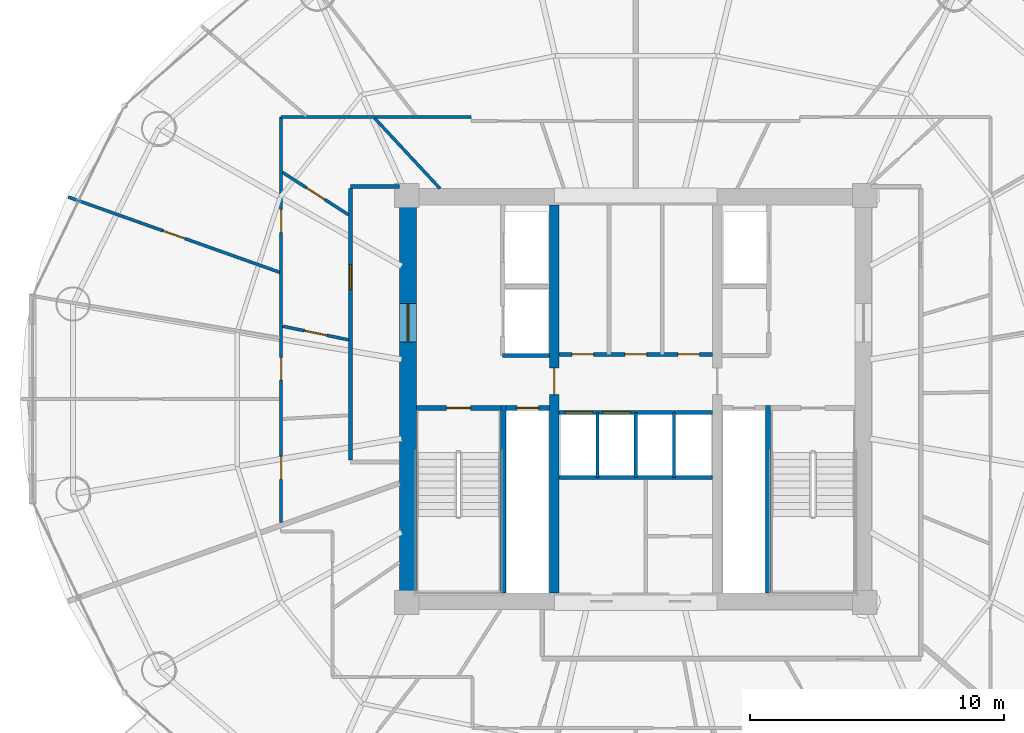
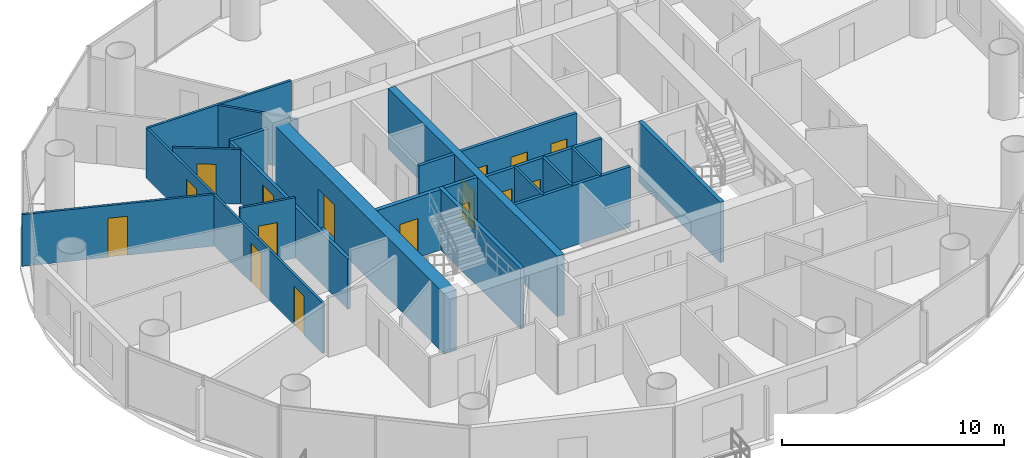
# One storey, part 22 of 27: 21 walls, 16 doors, 16 openings.
"""IFC4 building model written with IfcOpenShell, lengths in metres."""

from ifc_helpers import new_model, si_unit, direction, frame, frame_2d, origin, place, context, subcontext, project, spatial, rectangle, extrude, source, transform, mapped, material, layer, layer_set, type_object, element, fill, save


model = new_model("IFC4")

# Units and contexts
model_context = context("Model", 3, precision=1e-05, world=origin(), true_north=direction((-0.2419218956, 0.970295726276)))
body_context = subcontext(model_context, "Body", "Model", "MODEL_VIEW")
ifc_project = project(units=[si_unit("LENGTHUNIT", "METRE"), si_unit("AREAUNIT", "SQUARE_METRE"), si_unit("VOLUMEUNIT", "CUBIC_METRE"), si_unit("PLANEANGLEUNIT", "RADIAN"), si_unit("MASSUNIT", "GRAM", prefix="KILO")], contexts=[model_context])

# Site, building, storey
site_placement = place(None, origin())
site = spatial("IfcSite", under=ifc_project, at=site_placement, CompositionType="ELEMENT")
building_placement = place(site_placement, origin())
building = spatial("IfcBuilding", under=site, at=building_placement, Name="Cobrevalo Terracotta Tower", CompositionType="ELEMENT")
storey_placement = place(building_placement, frame((0.0, 0.0, 149.800048828125)))
storey = spatial("IfcBuildingStorey", under=building, at=storey_placement, Name="L39", CompositionType="ELEMENT", Elevation=149.800048828125)

# Wall, opening, door
ifc_material_1 = material(Name="Concrete C55", Category="concrete")
ifc_layer_1 = layer(ifc_material_1, 0.64990234375)
ifc_layer_set_1 = layer_set([ifc_layer_1], Name="Concrete C55")
wall_type_1 = type_object("IfcWallType", Name="Core shear wall 650 mm Concrete C55", PredefinedType="SHEAR", material=ifc_layer_set_1)
wall_1_placement = place(storey_placement, frame((29.050048828125, 19.175048828125, 0.0), z_axis=(0.0, 0.0, 1.0), x_axis=(0.0, 1.0, 0.0)))
wall_1 = element("IfcWall", 1, at=wall_1_placement, inside=storey, type_object=wall_type_1, Name="L39 west core shear wall", PredefinedType="SHEAR", context=body_context, shape_type="SweptSolid", body=[
    extrude(rectangle(XDim=15.25, YDim=0.64990234375, at=frame_2d((7.625, 0.0))), origin(), (0.0, 0.0, 1.0), 3.329833984375),
])
opening_1_placement = place(wall_1_placement, frame((9.875, 0.0, 0.0)))
opening_1 = element("IfcOpeningElement", 2, at=opening_1_placement, cuts=wall_1, Name="Opening ID-14", PredefinedType="OPENING", context=body_context, shape_type="SweptSolid", body=[
    extrude(rectangle(XDim=1.5, YDim=2.199951171875, at=frame_2d((0.75, 1.10009765625))), frame((0.0, 0.3349609375, 0.0), z_axis=(0.0, -1.0, 0.0), x_axis=(1.0, 0.0, 0.0)), (0.0, 0.0, 1.0), 0.669921875),
])
ifc_material_2 = material(Name="Galvanized fire-rated steel", Category="steel")
door_type_1 = type_object("IfcDoorType", Name="Core cross-lobby double fire door 1500x2200 EI 90", OperationType="NOTDEFINED", PredefinedType="DOOR", material=ifc_material_2)
shared_shape_1 = source(origin(), body_context, "Body", "SweptSolid", [
    extrude(rectangle(XDim=1.5, YDim=2.199951171875, at=frame_2d((0.75, 1.10009765625))), frame((0.0, 0.02490234375, 0.0), z_axis=(0.0, -1.0, 0.0), x_axis=(1.0, 0.0, 0.0)), (0.0, 0.0, 1.0), 0.050048828125),
])
door_1_placement = place(opening_1_placement, origin())
door_1 = element("IfcDoor", 3, at=door_1_placement, inside=storey, type_object=door_type_1, Name="L39 west firefighting lobby entrance door", OperationType="DOUBLE_DOOR_SINGLE_SWING", OverallHeight=2.199951171875, OverallWidth=1.5, PredefinedType="DOOR", context=body_context, shape_type="MappedRepresentation", body=[
    mapped(shared_shape_1, transform((0.0, 0.0, 0.0), scale=1.0)),
])
fill(opening_1, door_1)

# Wall
ifc_material_3 = material(Name="Gypsum board on steel stud", Category="steel")
ifc_layer_2 = layer(ifc_material_3, 0.159912109375)
ifc_layer_set_2 = layer_set([ifc_layer_2], Name="Gypsum board on steel stud")
wall_type_2 = type_object("IfcWallType", Name="Fire-rated corridor acoustic partition wall 160 mm", PredefinedType="PARTITIONING", material=ifc_layer_set_2)
wall_2_placement = place(storey_placement, frame((32.77001953125, 28.52001953125, 0.0), z_axis=(0.0, 0.0, 1.0), x_axis=(1.0, 0.0, 0.0)))
element("IfcWall", 4, at=wall_2_placement, inside=storey, type_object=wall_type_2, Name="L39 interior partition IW-L39-FF1-S", PredefinedType="PARTITIONING", context=body_context, shape_type="SweptSolid", body=[
    extrude(rectangle(XDim=1.840087890625, YDim=0.159912109375, at=frame_2d((0.919921875, 0.0))), origin(), (0.0, 0.0, 1.0), 3.329833984375),
])

# Wall, openings, doors
wall_3_placement = place(storey_placement, frame((34.989990234375, 28.56005859375, 0.0), z_axis=(0.0, 0.0, 1.0), x_axis=(1.0, 0.0, 0.0)))
wall_3 = element("IfcWall", 5, at=wall_3_placement, inside=storey, type_object=wall_type_2, Name="L39 interior partition IW-L39-LB-S", PredefinedType="PARTITIONING", context=body_context, shape_type="SweptSolid", body=[
    extrude(rectangle(XDim=6.02001953125, YDim=0.159912109375, at=frame_2d((3.010009765625, 0.0))), origin(), (0.0, 0.0, 1.0), 3.329833984375),
])
opening_2_placement = place(wall_3_placement, frame((0.5048828125, 0.0, 0.0)))
opening_2 = element("IfcOpeningElement", 6, at=opening_2_placement, cuts=wall_3, Name="Opening ID-22", PredefinedType="OPENING", context=body_context, shape_type="SweptSolid", body=[
    extrude(rectangle(XDim=0.85009765625, YDim=2.10009765625, at=frame_2d((0.425048828125, 1.050048828125))), frame((0.0, 0.08984375, 0.0), z_axis=(0.0, -1.0, 0.0), x_axis=(1.0, 0.0, 0.0)), (0.0, 0.0, 1.0), 0.179931640625),
])
opening_3_placement = place(wall_3_placement, frame((2.580078125, 0.0, 0.0)))
opening_3 = element("IfcOpeningElement", 7, at=opening_3_placement, cuts=wall_3, Name="Opening ID-07", PredefinedType="OPENING", context=body_context, shape_type="SweptSolid", body=[
    extrude(rectangle(XDim=0.860107421875, YDim=2.10009765625, at=frame_2d((0.43017578125, 1.050048828125))), frame((0.0, 0.08984375, 0.0), z_axis=(0.0, -1.0, 0.0), x_axis=(1.0, 0.0, 0.0)), (0.0, 0.0, 1.0), 0.179931640625),
])
opening_4_placement = place(wall_3_placement, frame((4.6650390625, 0.0, 0.0)))
opening_4 = element("IfcOpeningElement", 8, at=opening_4_placement, cuts=wall_3, Name="Opening ID-22", PredefinedType="OPENING", context=body_context, shape_type="SweptSolid", body=[
    extrude(rectangle(XDim=0.85009765625, YDim=2.10009765625, at=frame_2d((0.425048828125, 1.050048828125))), frame((0.0, 0.08984375, 0.0), z_axis=(0.0, -1.0, 0.0), x_axis=(1.0, 0.0, 0.0)), (0.0, 0.0, 1.0), 0.179931640625),
])
ifc_material_4 = material(Name="Powder-coated steel", Category="steel")
door_type_2 = type_object("IfcDoorType", Name="Riser shaft & meter closet fire access door 850x2100 EI 60", OperationType="NOTDEFINED", PredefinedType="DOOR", material=ifc_material_4)
shared_shape_2 = source(origin(), body_context, "Body", "SweptSolid", [
    extrude(rectangle(XDim=0.85009765625, YDim=2.10009765625, at=frame_2d((0.425048828125, 1.050048828125))), frame((0.0, 0.02490234375, 0.0), z_axis=(0.0, -1.0, 0.0), x_axis=(1.0, 0.0, 0.0)), (0.0, 0.0, 1.0), 0.050048828125),
])
door_2_placement = place(opening_2_placement, origin())
door_2 = element("IfcDoor", 9, at=door_2_placement, inside=storey, type_object=door_type_2, Name="L39 core service door Housekeeping Linen Store", OperationType="SINGLE_SWING_LEFT", OverallHeight=2.10009765625, OverallWidth=0.85009765625, PredefinedType="DOOR", context=body_context, shape_type="MappedRepresentation", body=[
    mapped(shared_shape_2, transform((0.0, 0.0, 0.0), scale=1.0)),
])
fill(opening_2, door_2)
door_3_placement = place(opening_4_placement, origin())
door_3 = element("IfcDoor", 10, at=door_3_placement, inside=storey, type_object=door_type_2, Name="L39 core service door Floor BMS Mechanical Plant", OperationType="SINGLE_SWING_LEFT", OverallHeight=2.10009765625, OverallWidth=0.85009765625, PredefinedType="DOOR", context=body_context, shape_type="MappedRepresentation", body=[
    mapped(shared_shape_2, transform((0.0, 0.0, 0.0), scale=1.0)),
])
fill(opening_4, door_3)
ifc_material_5 = material(Name="Fire-rated moisture-sealed timber", Category="wood")
door_type_3 = type_object("IfcDoorType", Name="Core & podium fire-rated accessible WC door 860x2100 EI 60", OperationType="NOTDEFINED", PredefinedType="DOOR", material=ifc_material_5)
shared_shape_3 = source(origin(), body_context, "Body", "SweptSolid", [
    extrude(rectangle(XDim=0.860107421875, YDim=2.10009765625, at=frame_2d((0.43017578125, 1.050048828125))), frame((0.0, 0.02490234375, 0.0), z_axis=(0.0, -1.0, 0.0), x_axis=(1.0, 0.0, 0.0)), (0.0, 0.0, 1.0), 0.050048828125),
])
door_4_placement = place(opening_3_placement, origin())
door_4 = element("IfcDoor", 11, at=door_4_placement, inside=storey, type_object=door_type_3, Name="L39 core service door Floor Service Toilet WC", OperationType="SINGLE_SWING_RIGHT", OverallHeight=2.10009765625, OverallWidth=0.860107421875, PredefinedType="DOOR", context=body_context, shape_type="MappedRepresentation", body=[
    mapped(shared_shape_3, transform((0.0, 0.0, 0.0), scale=1.0)),
])
fill(opening_3, door_4)

wall_4_placement = place(storey_placement, frame((34.989990234375, 26.280029296875, 0.0), z_axis=(0.0, 0.0, 1.0), x_axis=(1.0, 0.0, 0.0)))
wall_4 = element("IfcWall", 12, at=wall_4_placement, inside=storey, type_object=wall_type_2, Name="L39 interior partition IW-L39-MB-N", PredefinedType="PARTITIONING", context=body_context, shape_type="SweptSolid", body=[
    extrude(rectangle(XDim=6.02001953125, YDim=0.159912109375, at=frame_2d((3.010009765625, 0.0))), origin(), (0.0, 0.0, 1.0), 3.329833984375),
])
opening_5_placement = place(wall_4_placement, frame((0.22509765625, 0.0, 0.0)))
opening_5 = element("IfcOpeningElement", 13, at=opening_5_placement, cuts=wall_4, Name="Opening LD-01", PredefinedType="OPENING", context=body_context, shape_type="SweptSolid", body=[
    extrude(rectangle(XDim=1.10009765625, YDim=2.199951171875, at=frame_2d((0.550048828125, 1.10009765625))), frame((0.0, 0.08984375, 0.0), z_axis=(0.0, -1.0, 0.0), x_axis=(1.0, 0.0, 0.0)), (0.0, 0.0, 1.0), 0.179931640625),
])
opening_6_placement = place(wall_4_placement, frame((1.705078125, 0.0, 0.0)))
opening_6 = element("IfcOpeningElement", 14, at=opening_6_placement, cuts=wall_4, Name="Opening LD-01", PredefinedType="OPENING", context=body_context, shape_type="SweptSolid", body=[
    extrude(rectangle(XDim=1.10009765625, YDim=2.199951171875, at=frame_2d((0.550048828125, 1.10009765625))), frame((0.0, 0.08984375, 0.0), z_axis=(0.0, -1.0, 0.0), x_axis=(1.0, 0.0, 0.0)), (0.0, 0.0, 1.0), 0.179931640625),
])
ifc_material_6 = material(Name="Brushed stainless steel", Category="steel")
door_type_4 = type_object("IfcDoorType", Name="Passenger lift landing bi-parting sliding door 1100x2200 EI 90", OperationType="DOUBLE_DOOR_SLIDING", PredefinedType="DOOR", material=ifc_material_6)
shared_shape_4 = source(origin(), body_context, "Body", "SweptSolid", [
    extrude(rectangle(XDim=1.10009765625, YDim=2.199951171875, at=frame_2d((0.550048828125, 1.10009765625))), frame((0.0, 0.02490234375, 0.0), z_axis=(0.0, -1.0, 0.0), x_axis=(1.0, 0.0, 0.0)), (0.0, 0.0, 1.0), 0.050048828125),
])
door_5_placement = place(opening_5_placement, origin())
door_5 = element("IfcDoor", 15, at=door_5_placement, inside=storey, type_object=door_type_4, Name="L39 lift landing door PL-M1", OperationType="DOUBLE_DOOR_SLIDING", OverallHeight=2.199951171875, OverallWidth=1.10009765625, PredefinedType="DOOR", context=body_context, shape_type="MappedRepresentation", body=[
    mapped(shared_shape_4, transform((0.0, 0.0, 0.0), scale=1.0)),
])
fill(opening_5, door_5)
door_6_placement = place(opening_6_placement, origin())
door_6 = element("IfcDoor", 16, at=door_6_placement, inside=storey, type_object=door_type_4, Name="L39 lift landing door PL-M2", OperationType="DOUBLE_DOOR_SLIDING", OverallHeight=2.199951171875, OverallWidth=1.10009765625, PredefinedType="DOOR", context=body_context, shape_type="MappedRepresentation", body=[
    mapped(shared_shape_4, transform((0.0, 0.0, 0.0), scale=1.0)),
])
fill(opening_6, door_6)

# Wall
wall_5_placement = place(storey_placement, frame((34.989990234375, 23.719970703125, 0.0), z_axis=(0.0, 0.0, 1.0), x_axis=(1.0, 0.0, 0.0)))
element("IfcWall", 17, at=wall_5_placement, inside=storey, type_object=wall_type_2, Name="L39 interior partition IW-L39-MB-S", PredefinedType="PARTITIONING", context=body_context, shape_type="SweptSolid", body=[
    extrude(rectangle(XDim=6.02001953125, YDim=0.159912109375, at=frame_2d((3.010009765625, 0.0))), origin(), (0.0, 0.0, 1.0), 3.329833984375),
])

# Wall, opening, door
wall_6_placement = place(storey_placement, frame((26.794921875, 24.39990234375, 0.0), z_axis=(0.0, 0.0, 1.0), x_axis=(0.0, 1.0, 0.0)))
wall_6 = element("IfcWall", 18, at=wall_6_placement, inside=storey, type_object=wall_type_2, Name="L39 interior partition IW-L39-COR-W", PredefinedType="PARTITIONING", context=body_context, shape_type="SweptSolid", body=[
    extrude(rectangle(XDim=10.675048828125, YDim=0.159912109375, at=frame_2d((5.33740234375, 0.0))), origin(), (0.0, 0.0, 1.0), 2.77587890625),
])
opening_7_placement = place(wall_6_placement, frame((6.702392578125, 0.0, 0.0)))
opening_7 = element("IfcOpeningElement", 19, at=opening_7_placement, cuts=wall_6, Name="Opening ID-05", PredefinedType="OPENING", context=body_context, shape_type="SweptSolid", body=[
    extrude(rectangle(XDim=0.97998046875, YDim=2.199951171875, at=frame_2d((0.489990234375, 1.10009765625))), frame((0.0, 0.08984375, 0.0), z_axis=(0.0, -1.0, 0.0), x_axis=(1.0, 0.0, 0.0)), (0.0, 0.0, 1.0), 0.179931640625),
])
ifc_material_7 = material(Name="Solid hardwood timber", Category="wood")
door_type_5 = type_object("IfcDoorType", Name="Residence entrance fire-rated acoustic timber door 980x2200 EI 60", OperationType="NOTDEFINED", PredefinedType="DOOR", material=ifc_material_7)
shared_shape_5 = source(origin(), body_context, "Body", "SweptSolid", [
    extrude(rectangle(XDim=0.97998046875, YDim=2.199951171875, at=frame_2d((0.489990234375, 1.10009765625))), frame((0.0, 0.02490234375, 0.0), z_axis=(0.0, -1.0, 0.0), x_axis=(1.0, 0.0, 0.0)), (0.0, 0.0, 1.0), 0.050048828125),
])
door_7_placement = place(opening_7_placement, origin())
door_7 = element("IfcDoor", 20, at=door_7_placement, inside=storey, type_object=door_type_5, Name="Flat L39A fire-rated apartment entrance door", OperationType="SINGLE_SWING_RIGHT", OverallHeight=2.199951171875, OverallWidth=0.97998046875, PredefinedType="DOOR", context=body_context, shape_type="MappedRepresentation", body=[
    mapped(shared_shape_5, transform((0.0, 0.0, 0.0), scale=1.0)),
])
fill(opening_7, door_7)

# Wall
wall_7_placement = place(storey_placement, frame((26.794921875, 35.155029296875, 0.0), z_axis=(0.0, 0.0, 1.0), x_axis=(1.0, 0.0, 0.0)))
element("IfcWall", 21, at=wall_7_placement, inside=storey, type_object=wall_type_2, Name="L39 interior partition IW-L39-COR-WN-CAP", PredefinedType="PARTITIONING", context=body_context, shape_type="SweptSolid", body=[
    extrude(rectangle(XDim=1.93017578125, YDim=0.159912109375, at=frame_2d((0.965087890625, 0.0))), origin(), (0.0, 0.0, 1.0), 2.77587890625),
])

# Wall, opening, door
ifc_layer_3 = layer(ifc_material_3, 0.179931640625)
ifc_layer_set_3 = layer_set([ifc_layer_3], Name="Gypsum board on steel stud")
wall_type_3 = type_object("IfcWallType", Name="Fire-rated shaft & lobby acoustic partition wall 180 mm", PredefinedType="PARTITIONING", material=ifc_layer_set_3)
wall_8_placement = place(storey_placement, frame((32.89990234375, 26.449951171875, 0.0), z_axis=(0.0, 0.0, 1.0), x_axis=(1.0, 0.0, 0.0)))
wall_8 = element("IfcWall", 22, at=wall_8_placement, inside=storey, type_object=wall_type_3, Name="L39 interior partition IW-L39-RSW-N", PredefinedType="PARTITIONING", context=body_context, shape_type="SweptSolid", body=[
    extrude(rectangle(XDim=1.710205078125, YDim=0.179931640625, at=frame_2d((0.85498046875, 0.0))), origin(), (0.0, 0.0, 1.0), 3.329833984375),
])
opening_8_placement = place(wall_8_placement, frame((0.429931640625, 0.0, 0.0)))
opening_8 = element("IfcOpeningElement", 23, at=opening_8_placement, cuts=wall_8, Name="Opening ID-22", PredefinedType="OPENING", context=body_context, shape_type="SweptSolid", body=[
    extrude(rectangle(XDim=0.85009765625, YDim=2.10009765625, at=frame_2d((0.425048828125, 1.050048828125))), frame((0.0, 0.10009765625, 0.0), z_axis=(0.0, -1.0, 0.0), x_axis=(1.0, 0.0, 0.0)), (0.0, 0.0, 1.0), 0.199951171875),
])
door_8_placement = place(opening_8_placement, origin())
door_8 = element("IfcDoor", 24, at=door_8_placement, inside=storey, type_object=door_type_2, Name="L39 riser access door RSW", OperationType="SINGLE_SWING_LEFT", OverallHeight=2.10009765625, OverallWidth=0.85009765625, PredefinedType="DOOR", context=body_context, shape_type="MappedRepresentation", body=[
    mapped(shared_shape_2, transform((0.0, 0.0, 0.0), scale=1.0)),
])
fill(opening_8, door_8)

# Walls
ifc_material_8 = material(Name="Autoclaved aerated concrete block", Category="concrete")
ifc_layer_4 = layer(ifc_material_8, 0.1201171875)
ifc_layer_set_4 = layer_set([ifc_layer_4], Name="Autoclaved aerated concrete block")
wall_type_4 = type_object("IfcWallType", Name="Fire-rated wet-room & core service partition 120 mm", PredefinedType="PARTITIONING", material=ifc_layer_set_4)
for number, where, z_axis, x_axis, name in (
    (25, (36.5, 23.719970703125, 0.0), (0.0, 0.0, 1.0), (0.0, 1.0, 0.0), "L39 interior partition IW-L39-MB-D1"),
    (26, (39.5, 23.719970703125, 0.0), (0.0, 0.0, 1.0), (0.0, 1.0, 0.0), "L39 interior partition IW-L39-MB-D3"),
):
    element("IfcWall", number, at=place(storey_placement, frame(where, z_axis=z_axis, x_axis=x_axis)), inside=storey, type_object=wall_type_4, Name=name, PredefinedType="PARTITIONING", context=body_context, shape_type="SweptSolid", body=[
        extrude(rectangle(XDim=2.56005859375, YDim=0.1201171875, at=frame_2d((1.280029296875, 0.0))), origin(), (0.0, 0.0, 1.0), 3.329833984375),
    ])

# Wall, opening, door
ifc_material_9 = material(Name="Concrete C50", Category="concrete")
ifc_layer_5 = layer(ifc_material_9, 0.3798828125)
ifc_layer_set_5 = layer_set([ifc_layer_5], Name="Concrete C50")
wall_type_5 = type_object("IfcWallType", Name="Internal core shear web wall 380 mm Concrete C50", PredefinedType="SHEAR", material=ifc_layer_set_5)
wall_9_placement = place(storey_placement, frame((34.800048828125, 19.175048828125, 0.0), z_axis=(0.0, 0.0, 1.0), x_axis=(0.0, 1.0, 0.0)))
wall_9 = element("IfcWall", 27, at=wall_9_placement, inside=storey, type_object=wall_type_5, Name="L39 internal core shear wall WEB-W", PredefinedType="SHEAR", context=body_context, shape_type="SweptSolid", body=[
    extrude(rectangle(XDim=15.25, YDim=0.3798828125, at=frame_2d((7.625, 0.0))), origin(), (0.0, 0.0, 1.0), 3.329833984375),
])
opening_9_placement = place(wall_9_placement, frame((7.800048828125, 0.0, 0.0)))
opening_9 = element("IfcOpeningElement", 28, at=opening_9_placement, cuts=wall_9, Name="Opening ID-11", PredefinedType="OPENING", context=body_context, shape_type="SweptSolid", body=[
    extrude(rectangle(XDim=1.050048828125, YDim=2.14990234375, at=frame_2d((0.52490234375, 1.074951171875))), frame((0.0, 0.199951171875, 0.0), z_axis=(0.0, -1.0, 0.0), x_axis=(1.0, 0.0, 0.0)), (0.0, 0.0, 1.0), 0.39990234375),
])
door_type_6 = type_object("IfcDoorType", Name="Core concourse cross fire door 1050x2150 EI 90", OperationType="NOTDEFINED", PredefinedType="DOOR", material=ifc_material_2)
shared_shape_6 = source(origin(), body_context, "Body", "SweptSolid", [
    extrude(rectangle(XDim=1.050048828125, YDim=2.14990234375, at=frame_2d((0.52490234375, 1.074951171875))), frame((0.0, 0.02490234375, 0.0), z_axis=(0.0, -1.0, 0.0), x_axis=(1.0, 0.0, 0.0)), (0.0, 0.0, 1.0), 0.050048828125),
])
door_9_placement = place(opening_9_placement, origin())
door_9 = element("IfcDoor", 29, at=door_9_placement, inside=storey, type_object=door_type_6, Name="L39 west core concourse cross door", OperationType="SINGLE_SWING_LEFT", OverallHeight=2.14990234375, OverallWidth=1.050048828125, PredefinedType="DOOR", context=body_context, shape_type="MappedRepresentation", body=[
    mapped(shared_shape_6, transform((0.0, 0.0, 0.0), scale=1.0)),
])
fill(opening_9, door_9)

# Wall
ifc_layer_6 = layer(ifc_material_8, 0.139892578125)
ifc_layer_set_6 = layer_set([ifc_layer_6], Name="Autoclaved aerated concrete block")
wall_type_6 = type_object("IfcWallType", Name="Moisture-resistant wet-room & core service partition 140 mm", PredefinedType="PARTITIONING", material=ifc_layer_set_6)
wall_10_placement = place(storey_placement, frame((38.0, 23.719970703125, 0.0), z_axis=(0.0, 0.0, 1.0), x_axis=(0.0, 1.0, 0.0)))
element("IfcWall", 30, at=wall_10_placement, inside=storey, type_object=wall_type_6, Name="L39 interior partition IW-L39-MB-D2", PredefinedType="PARTITIONING", context=body_context, shape_type="SweptSolid", body=[
    extrude(rectangle(XDim=2.56005859375, YDim=0.139892578125, at=frame_2d((1.280029296875, 0.0))), origin(), (0.0, 0.0, 1.0), 3.329833984375),
])

# Wall, openings, doors
ifc_layer_7 = layer(ifc_material_3, 0.1201171875)
ifc_layer_set_7 = layer_set([ifc_layer_7], Name="Gypsum board on steel stud")
wall_type_7 = type_object("IfcWallType", Name="Residential internal acoustic stud partition 120 mm", PredefinedType="PARTITIONING", material=ifc_layer_set_7)
wall_11_placement = place(storey_placement, frame((24.06494140625, 21.94091796875, 0.0), z_axis=(0.0, 0.0, 1.0), x_axis=(0.0, 1.0, 0.0)))
wall_11 = element("IfcWall", 31, at=wall_11_placement, inside=storey, type_object=wall_type_7, Name="L39 interior partition IW-L39-U1-RING0_0", PredefinedType="PARTITIONING", context=body_context, shape_type="SweptSolid", body=[
    extrude(rectangle(XDim=15.944091796875, YDim=0.1201171875, at=frame_2d((7.97216796875, 0.0))), origin(), (0.0, 0.0, 1.0), 2.77587890625),
])
opening_10_placement = place(wall_11_placement, frame((5.60205078125, 0.0, 0.0)))
opening_10 = element("IfcOpeningElement", 32, at=opening_10_placement, cuts=wall_11, Name="Opening ID-12", PredefinedType="OPENING", context=body_context, shape_type="SweptSolid", body=[
    extrude(rectangle(XDim=0.89990234375, YDim=2.14990234375, at=frame_2d((0.449951171875, 1.074951171875))), frame((0.0, 0.070068359375, 0.0), z_axis=(0.0, -1.0, 0.0), x_axis=(1.0, 0.0, 0.0)), (0.0, 0.0, 1.0), 0.14013671875),
])
opening_11_placement = place(wall_11_placement, frame((1.707275390625, 0.0, 0.0)))
opening_11 = element("IfcOpeningElement", 33, at=opening_11_placement, cuts=wall_11, Name="Opening ID-12", PredefinedType="OPENING", context=body_context, shape_type="SweptSolid", body=[
    extrude(rectangle(XDim=0.89990234375, YDim=2.14990234375, at=frame_2d((0.449951171875, 1.074951171875))), frame((0.0, 0.070068359375, 0.0), z_axis=(0.0, -1.0, 0.0), x_axis=(1.0, 0.0, 0.0)), (0.0, 0.0, 1.0), 0.14013671875),
])
opening_12_placement = place(wall_11_placement, frame((11.401611328125, 0.0, 0.0)))
opening_12 = element("IfcOpeningElement", 34, at=opening_12_placement, cuts=wall_11, Name="Opening ID-12", PredefinedType="OPENING", context=body_context, shape_type="SweptSolid", body=[
    extrude(rectangle(XDim=0.89990234375, YDim=2.14990234375, at=frame_2d((0.449951171875, 1.074951171875))), frame((0.0, 0.070068359375, 0.0), z_axis=(0.0, -1.0, 0.0), x_axis=(1.0, 0.0, 0.0)), (0.0, 0.0, 1.0), 0.14013671875),
])
ifc_material_10 = material(Name="Engineered timber", Category="wood")
door_type_7 = type_object("IfcDoorType", Name="Internal residence & suite timber door 900x2150", OperationType="NOTDEFINED", PredefinedType="DOOR", material=ifc_material_10)
shared_shape_7 = source(origin(), body_context, "Body", "SweptSolid", [
    extrude(rectangle(XDim=0.89990234375, YDim=2.14990234375, at=frame_2d((0.449951171875, 1.074951171875))), frame((0.0, 0.02490234375, 0.0), z_axis=(0.0, -1.0, 0.0), x_axis=(1.0, 0.0, 0.0)), (0.0, 0.0, 1.0), 0.050048828125),
])
door_10_placement = place(opening_10_placement, origin())
door_10 = element("IfcDoor", 35, at=door_10_placement, inside=storey, type_object=door_type_7, Name="Flat L39A Penthouse Family Lounge internal door", OperationType="SINGLE_SWING_LEFT", OverallHeight=2.14990234375, OverallWidth=0.89990234375, PredefinedType="DOOR", context=body_context, shape_type="MappedRepresentation", body=[
    mapped(shared_shape_7, transform((0.0, 0.0, 0.0), scale=1.0)),
])
fill(opening_10, door_10)
door_11_placement = place(opening_11_placement, frame((0.89990234375, 0.0, 0.0), z_axis=(0.0, 0.0, 1.0), x_axis=(-1.0, 0.0, 0.0)))
door_11 = element("IfcDoor", 36, at=door_11_placement, inside=storey, type_object=door_type_7, Name="Flat L39A Private Library Meeting Room internal door", OperationType="SINGLE_SWING_LEFT", OverallHeight=2.14990234375, OverallWidth=0.89990234375, PredefinedType="DOOR", context=body_context, shape_type="MappedRepresentation", body=[
    mapped(shared_shape_7, transform((0.0, 0.0, 0.0), scale=1.0)),
])
fill(opening_11, door_11)
door_12_placement = place(opening_12_placement, origin())
door_12 = element("IfcDoor", 37, at=door_12_placement, inside=storey, type_object=door_type_7, Name="Flat L39A Principal Guest Bedroom internal door", OperationType="SINGLE_SWING_RIGHT", OverallHeight=2.14990234375, OverallWidth=0.89990234375, PredefinedType="DOOR", context=body_context, shape_type="MappedRepresentation", body=[
    mapped(shared_shape_7, transform((0.0, 0.0, 0.0), scale=1.0)),
])
fill(opening_12, door_12)

# Wall
wall_12_placement = place(storey_placement, frame((24.06494140625, 37.885009765625, 0.0), z_axis=(0.0, 0.0, 1.0), x_axis=(1.0, 0.0, 0.0)))
element("IfcWall", 38, at=wall_12_placement, inside=storey, type_object=wall_type_7, Name="L39 interior partition IW-L39-U1-RING1_0", PredefinedType="PARTITIONING", context=body_context, shape_type="SweptSolid", body=[
    extrude(rectangle(XDim=7.469970703125, YDim=0.1201171875, at=frame_2d((3.73486328125, 0.0))), origin(), (0.0, 0.0, 1.0), 2.77587890625),
])

# Wall, opening, door
wall_13_placement = place(storey_placement, frame((24.006591796875, 31.781982421875, 0.0), z_axis=(0.0, 0.0, 1.0), x_axis=(-0.942077868165, 0.335394231187, 0.0)))
wall_13 = element("IfcWall", 39, at=wall_13_placement, inside=storey, type_object=wall_type_7, Name="L39 interior partition IW-L39-U1-ORAD2", PredefinedType="PARTITIONING", context=body_context, shape_type="SweptSolid", body=[
    extrude(rectangle(XDim=8.816650390625, YDim=0.1201171875, at=frame_2d((4.408203125, 0.0))), origin(), (0.0, 0.0, 1.0), 2.845947265625),
])
opening_13_placement = place(wall_13_placement, frame((3.95849609375, 0.0, 0.0)))
opening_13 = element("IfcOpeningElement", 40, at=opening_13_placement, cuts=wall_13, Name="Opening ID-12", PredefinedType="OPENING", context=body_context, shape_type="SweptSolid", body=[
    extrude(rectangle(XDim=0.89990234375, YDim=2.14990234375, at=frame_2d((0.449951171875, 1.074951171875))), frame((0.0, 0.070068359375, 0.0), z_axis=(0.0, -1.0, 0.0), x_axis=(1.0, 0.0, 0.0)), (0.0, 0.0, 1.0), 0.14013671875),
])
door_13_placement = place(opening_13_placement, origin())
door_13 = element("IfcDoor", 41, at=door_13_placement, inside=storey, type_object=door_type_7, Name="Flat L39A North Bedroom internal door", OperationType="SINGLE_SWING_LEFT", OverallHeight=2.14990234375, OverallWidth=0.89990234375, PredefinedType="DOOR", context=body_context, shape_type="MappedRepresentation", body=[
    mapped(shared_shape_7, transform((0.0, 0.0, 0.0), scale=1.0)),
])
fill(opening_13, door_13)

# Wall
wall_14_placement = place(storey_placement, frame((30.307373046875, 35.074951171875, 0.0), z_axis=(0.0, 0.0, 1.0), x_axis=(-0.68082810609, 0.732443233267, 0.0)))
element("IfcWall", 42, at=wall_14_placement, inside=storey, type_object=wall_type_7, Name="L39 interior partition IW-L39-U1-IRAD2", PredefinedType="PARTITIONING", context=body_context, shape_type="SweptSolid", body=[
    extrude(rectangle(XDim=3.774658203125, YDim=0.1201171875, at=frame_2d((1.88720703125, 0.0))), origin(), (0.0, 0.0, 1.0), 2.77587890625),
])

# Wall, opening, door
wall_15_placement = place(storey_placement, frame((26.715087890625, 34.04296875, 0.0), z_axis=(0.0, 0.0, 1.0), x_axis=(-0.841597086151, 0.540105864235, 0.0)))
wall_15 = element("IfcWall", 43, at=wall_15_placement, inside=storey, type_object=wall_type_7, Name="L39 interior partition IW-L39-U1-IRAD3", PredefinedType="PARTITIONING", context=body_context, shape_type="SweptSolid", body=[
    extrude(rectangle(XDim=3.0869140625, YDim=0.1201171875, at=frame_2d((1.54345703125, 0.0))), origin(), (0.0, 0.0, 1.0), 3.0048828125),
])
opening_14_placement = place(wall_15_placement, frame((1.11328125, 0.0, 0.0)))
opening_14 = element("IfcOpeningElement", 44, at=opening_14_placement, cuts=wall_15, Name="Opening ID-19", PredefinedType="OPENING", context=body_context, shape_type="SweptSolid", body=[
    extrude(rectangle(XDim=0.860107421875, YDim=2.14990234375, at=frame_2d((0.43017578125, 1.074951171875))), frame((0.0, 0.070068359375, 0.0), z_axis=(0.0, -1.0, 0.0), x_axis=(1.0, 0.0, 0.0)), (0.0, 0.0, 1.0), 0.14013671875),
])
ifc_material_11 = material(Name="Moisture-sealed timber", Category="wood")
door_type_8 = type_object("IfcDoorType", Name="Suite bathroom internal timber door 860x2150", OperationType="NOTDEFINED", PredefinedType="DOOR", material=ifc_material_11)
shared_shape_8 = source(origin(), body_context, "Body", "SweptSolid", [
    extrude(rectangle(XDim=0.860107421875, YDim=2.14990234375, at=frame_2d((0.43017578125, 1.074951171875))), frame((0.0, 0.02490234375, 0.0), z_axis=(0.0, -1.0, 0.0), x_axis=(1.0, 0.0, 0.0)), (0.0, 0.0, 1.0), 0.050048828125),
])
door_14_placement = place(opening_14_placement, frame((0.860107421875, 0.0, 0.0), z_axis=(0.0, 0.0, 1.0), x_axis=(-1.0, 0.0, 0.0)))
door_14 = element("IfcDoor", 45, at=door_14_placement, inside=storey, type_object=door_type_8, Name="Flat L39A Primary Bathroom internal door", OperationType="SINGLE_SWING_LEFT", OverallHeight=2.14990234375, OverallWidth=0.860107421875, PredefinedType="DOOR", context=body_context, shape_type="MappedRepresentation", body=[
    mapped(shared_shape_8, transform((0.0, 0.0, 0.0), scale=1.0)),
])
fill(opening_14, door_14)

wall_16_placement = place(storey_placement, frame((26.715087890625, 29.128662109375, 0.0), z_axis=(0.0, 0.0, 1.0), x_axis=(-0.979376501526, 0.202043728582, 0.0)))
wall_16 = element("IfcWall", 46, at=wall_16_placement, inside=storey, type_object=wall_type_7, Name="L39 interior partition IW-L39-U1-IRAD4", PredefinedType="PARTITIONING", context=body_context, shape_type="SweptSolid", body=[
    extrude(rectangle(XDim=2.643798828125, YDim=0.1201171875, at=frame_2d((1.32177734375, 0.0))), origin(), (0.0, 0.0, 1.0), 3.329833984375),
])
opening_15_placement = place(wall_16_placement, frame((0.871826171875, 0.0, 0.0)))
opening_15 = element("IfcOpeningElement", 47, at=opening_15_placement, cuts=wall_16, Name="Opening ID-12", PredefinedType="OPENING", context=body_context, shape_type="SweptSolid", body=[
    extrude(rectangle(XDim=0.89990234375, YDim=2.14990234375, at=frame_2d((0.449951171875, 1.074951171875))), frame((0.0, 0.070068359375, 0.0), z_axis=(0.0, -1.0, 0.0), x_axis=(1.0, 0.0, 0.0)), (0.0, 0.0, 1.0), 0.14013671875),
])
door_15_placement = place(opening_15_placement, origin())
door_15 = element("IfcDoor", 48, at=door_15_placement, inside=storey, type_object=door_type_7, Name="Flat L39A Kitchen internal door", OperationType="SINGLE_SWING_RIGHT", OverallHeight=2.14990234375, OverallWidth=0.89990234375, PredefinedType="DOOR", context=body_context, shape_type="MappedRepresentation", body=[
    mapped(shared_shape_7, transform((0.0, 0.0, 0.0), scale=1.0)),
])
fill(opening_15, door_15)

# Wall
ifc_layer_8 = layer(ifc_material_9, 0.199951171875)
ifc_layer_set_8 = layer_set([ifc_layer_8], Name="Concrete C50")
wall_type_8 = type_object("IfcWallType", Name="Structural core & podium stair-shaft RC wall 200 mm Concrete C50", PredefinedType="SOLIDWALL", material=ifc_layer_set_8)
wall_17_placement = place(storey_placement, frame((32.794921875, 19.175048828125, 0.0), z_axis=(0.0, 0.0, 1.0), x_axis=(0.0, 1.0, 0.0)))
element("IfcWall", 49, at=wall_17_placement, inside=storey, type_object=wall_type_8, Name="L39 ST-1 east structural shaft wall", PredefinedType="SOLIDWALL", context=body_context, shape_type="SweptSolid", body=[
    extrude(rectangle(XDim=7.375, YDim=0.199951171875, at=frame_2d((3.6875, 0.0))), origin(), (0.0, 0.0, 1.0), 3.329833984375),
])

# Wall, opening, door
wall_18_placement = place(storey_placement, frame((29.375, 26.449951171875, 0.0), z_axis=(0.0, 0.0, 1.0), x_axis=(1.0, 0.0, 0.0)))
wall_18 = element("IfcWall", 50, at=wall_18_placement, inside=storey, type_object=wall_type_8, Name="L39 ST-1 north structural shaft wall", PredefinedType="SOLIDWALL", context=body_context, shape_type="SweptSolid", body=[
    extrude(rectangle(XDim=3.320068359375, YDim=0.199951171875, at=frame_2d((1.66015625, 0.0))), origin(), (0.0, 0.0, 1.0), 3.329833984375),
])
opening_16_placement = place(wall_18_placement, frame((1.18505859375, 0.0, 0.0)))
opening_16 = element("IfcOpeningElement", 51, at=opening_16_placement, cuts=wall_18, Name="Opening ID-04", PredefinedType="OPENING", context=body_context, shape_type="SweptSolid", body=[
    extrude(rectangle(XDim=0.949951171875, YDim=2.14990234375, at=frame_2d((0.47509765625, 1.074951171875))), frame((0.0, 0.10986328125, 0.0), z_axis=(0.0, -1.0, 0.0), x_axis=(1.0, 0.0, 0.0)), (0.0, 0.0, 1.0), 0.219970703125),
])
door_type_9 = type_object("IfcDoorType", Name="Stair & firefighting lobby fire door 950x2150 EI 90", OperationType="NOTDEFINED", PredefinedType="DOOR", material=ifc_material_2)
shared_shape_9 = source(origin(), body_context, "Body", "SweptSolid", [
    extrude(rectangle(XDim=0.949951171875, YDim=2.14990234375, at=frame_2d((0.47509765625, 1.074951171875))), frame((0.0, 0.02490234375, 0.0), z_axis=(0.0, -1.0, 0.0), x_axis=(1.0, 0.0, 0.0)), (0.0, 0.0, 1.0), 0.050048828125),
])
door_16_placement = place(opening_16_placement, origin())
door_16 = element("IfcDoor", 52, at=door_16_placement, inside=storey, type_object=door_type_9, Name="L39 protected stair ST1 fire door", OperationType="SINGLE_SWING_LEFT", OverallHeight=2.14990234375, OverallWidth=0.949951171875, PredefinedType="DOOR", context=body_context, shape_type="MappedRepresentation", body=[
    mapped(shared_shape_9, transform((0.0, 0.0, 0.0), scale=1.0)),
])
fill(opening_16, door_16)

# Wall
wall_19_placement = place(storey_placement, frame((43.205078125, 19.175048828125, 0.0), z_axis=(0.0, 0.0, 1.0), x_axis=(0.0, 1.0, 0.0)))
element("IfcWall", 53, at=wall_19_placement, inside=storey, type_object=wall_type_8, Name="L39 ST-2 west structural shaft wall", PredefinedType="SOLIDWALL", context=body_context, shape_type="SweptSolid", body=[
    extrude(rectangle(XDim=7.375, YDim=0.199951171875, at=frame_2d((3.6875, 0.0))), origin(), (0.0, 0.0, 1.0), 3.329833984375),
])

save(model, "model.ifc")
